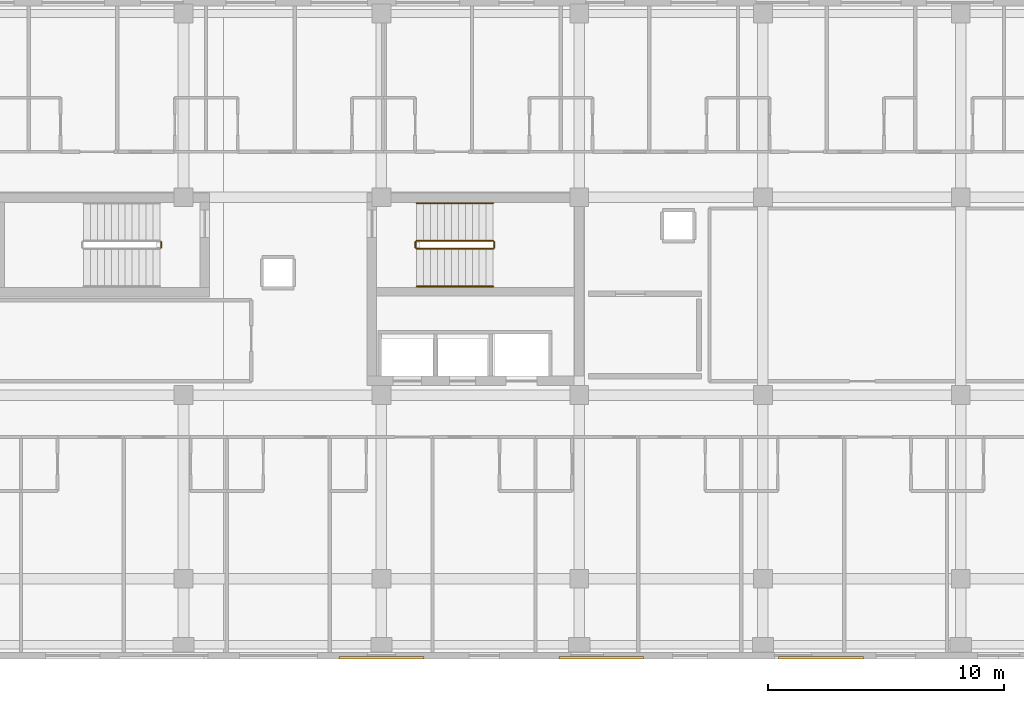
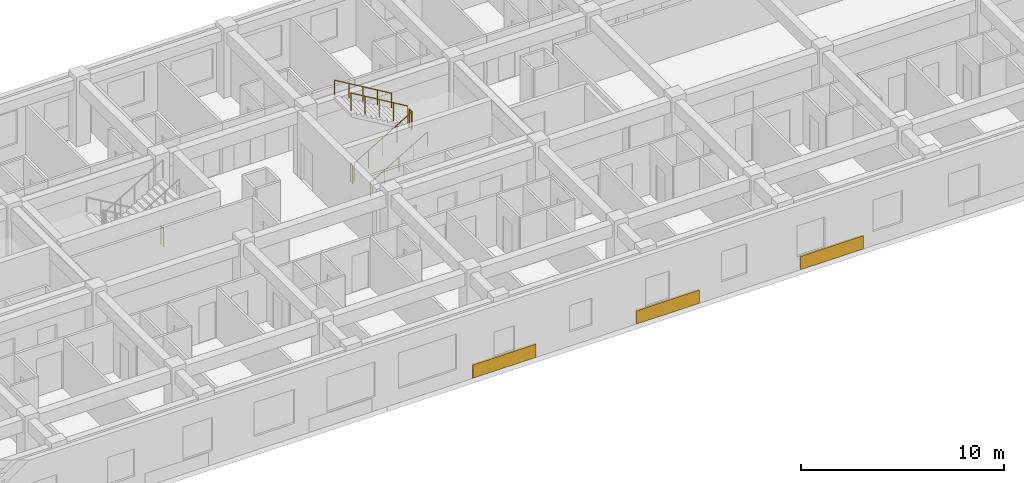
# One storey, part 117 of 127: 7 railings, 3 coverings.
"""IFC4 building model written with IfcOpenShell, lengths in metres."""

from ifc_helpers import new_model, si_unit, direction, frame, origin, origin_2d, place, context, subcontext, project, spatial, rectangle, circle, extrude, material, layer, layer_set, type_object, element, save


model = new_model("IFC4")

# Units and contexts
model_context = context("Model", 3, precision=1e-05, world=origin(), true_north=direction((0.0, 1.0)))
body_context = subcontext(model_context, "Body", "Model", "MODEL_VIEW")
ifc_project = project(units=[si_unit("LENGTHUNIT", "METRE"), si_unit("AREAUNIT", "SQUARE_METRE"), si_unit("VOLUMEUNIT", "CUBIC_METRE"), si_unit("PLANEANGLEUNIT", "RADIAN"), si_unit("MASSUNIT", "GRAM", prefix="KILO")], contexts=[model_context])

# Site, building, storey
site_placement = place(None, origin())
site = spatial("IfcSite", under=ifc_project, at=site_placement, CompositionType="ELEMENT")
building_placement = place(site_placement, origin())
building = spatial("IfcBuilding", under=site, at=building_placement, Name="Zayran Congress Hotel", CompositionType="ELEMENT")
storey_placement = place(building_placement, frame((0.0, 0.0, 10.800048828125)))
storey = spatial("IfcBuildingStorey", under=building, at=storey_placement, Name="L02", CompositionType="ELEMENT", Elevation=10.800048828125)

# Coverings
ifc_material_1 = material(Name="Ochre geometric bas-relief Hajar Ma'ani stone", Category="masonry")
ifc_layer = layer(ifc_material_1, 0.090087890625)
ifc_layer_set = layer_set([ifc_layer], Name="Ochre geometric bas-relief Hajar Ma'ani stone")
covering_type = type_object("IfcCoveringType", Name="TP-CLD-01", PredefinedType="CLADDING", material=ifc_layer_set)
for number, where, z_axis, x_axis, name in (
    (1, (50.39990234375, 6.044921875, 0.0), (0.0, 0.0, 1.0), (1.0, 0.0, 0.0), "CLD-V5S-L02-4"),
    (2, (59.73291015625, 6.044921875, 0.0), (0.0, 0.0, 1.0), (1.0, 0.0, 0.0), "CLD-V5S-L02-5"),
    (3, (69.06689453125, 6.044921875, 0.0), (0.0, 0.0, 1.0), (1.0, 0.0, 0.0), "CLD-V5S-L02-6"),
):
    element("IfcCovering", number, at=place(storey_placement, frame(where, z_axis=z_axis, x_axis=x_axis)), inside=storey, type_object=covering_type, Name=name, PredefinedType="CLADDING", context=body_context, shape_type="SweptSolid", body=[
        extrude(rectangle(XDim=3.60009765625, YDim=0.090087890625, at=origin_2d()), origin(), (0.0, 0.0, 1.0), 0.800048828125),
    ])

# Railings
ifc_material_2 = material(Name="Painted steel balustrade", Category="steel")
railing_type_1 = type_object("IfcRailingType", Name="TP-GRD-INT", PredefinedType="GUARDRAIL", material=ifc_material_2)
railing_1_placement = place(storey_placement, frame((51.89990234375, 23.409912109375, 0.175048828125)))
element("IfcRailing", 4, at=railing_1_placement, inside=storey, type_object=railing_type_1, Name="L02 ST-02 stair guard 1", PredefinedType="GUARDRAIL", context=body_context, shape_type="SweptSolid", body=[
    extrude(circle(Radius=0.02392578125, at=origin_2d()), frame((0.0, 0.0, 1.076171875), z_axis=(0.860085452069, 0.0, 0.510149992786), x_axis=(0.0, 1.0, 0.0)), (0.0, 0.0, 1.0), 3.77294921875),
    extrude(circle(Radius=0.02099609375, at=origin_2d()), origin(), (0.0, 0.0, 1.0), 1.052001953125),
    extrude(circle(Radius=0.02099609375, at=origin_2d()), frame((0.811279296875, 0.0, 0.481201171875)), (0.0, 0.0, 1.0), 1.052001953125),
    extrude(circle(Radius=0.02099609375, at=origin_2d()), frame((1.62255859375, 0.0, 0.96240234375)), (0.0, 0.0, 1.0), 1.052001953125),
    extrude(circle(Radius=0.02099609375, at=origin_2d()), frame((2.433837890625, 0.0, 1.443603515625)), (0.0, 0.0, 1.0), 1.052001953125),
    extrude(circle(Radius=0.02099609375, at=origin_2d()), frame((3.2451171875, 0.0, 1.9248046875)), (0.0, 0.0, 1.0), 1.052001953125),
])
railing_2_placement = place(storey_placement, frame((55.195068359375, 23.4599609375, 2.099853515625)))
element("IfcRailing", 5, at=railing_2_placement, inside=storey, type_object=railing_type_1, Name="L02 ST-02 stair guard 2", PredefinedType="GUARDRAIL", context=body_context, shape_type="SweptSolid", body=[
    extrude(circle(Radius=0.02392578125, at=origin_2d()), frame((0.0, 0.0, 1.076171875), z_axis=(0.0, 1.0, 0.0), x_axis=(-1.0, 0.0, 0.0)), (0.0, 0.0, 1.0), 0.239990234375),
    extrude(circle(Radius=0.02099609375, at=origin_2d()), origin(), (0.0, 0.0, 1.0), 1.052001953125),
    extrude(circle(Radius=0.02099609375, at=origin_2d()), frame((0.0, 0.239990234375, 0.0)), (0.0, 0.0, 1.0), 1.052001953125),
])
railing_3_placement = place(storey_placement, frame((55.14501953125, 23.75, 2.27490234375)))
element("IfcRailing", 6, at=railing_3_placement, inside=storey, type_object=railing_type_1, Name="L02 ST-02 stair guard 3", PredefinedType="GUARDRAIL", context=body_context, shape_type="SweptSolid", body=[
    extrude(circle(Radius=0.02392578125, at=origin_2d()), frame((0.0, 0.0, 1.076171875), z_axis=(-0.860057060016, 0.0, 0.510197857224), x_axis=(0.0, -1.0, 0.0)), (0.0, 0.0, 1.0), 3.773193359375),
    extrude(circle(Radius=0.02099609375, at=origin_2d()), origin(), (0.0, 0.0, 1.0), 1.052001953125),
    extrude(circle(Radius=0.02099609375, at=origin_2d()), frame((-0.811279296875, 0.0, 0.481201171875)), (0.0, 0.0, 1.0), 1.052001953125),
    extrude(circle(Radius=0.02099609375, at=origin_2d()), frame((-1.62255859375, 0.0, 0.96240234375)), (0.0, 0.0, 1.0), 1.052001953125),
    extrude(circle(Radius=0.02099609375, at=origin_2d()), frame((-2.433837890625, 0.0, 1.44384765625)), (0.0, 0.0, 1.0), 1.052001953125),
    extrude(circle(Radius=0.02099609375, at=origin_2d()), frame((-3.2451171875, 0.0, 1.925048828125)), (0.0, 0.0, 1.0), 1.052001953125),
])
railing_4_placement = place(storey_placement, frame((51.85009765625, 23.4599609375, 0.0)))
element("IfcRailing", 7, at=railing_4_placement, inside=storey, type_object=railing_type_1, Name="L02 ST-02 stair guard 4", PredefinedType="GUARDRAIL", context=body_context, shape_type="SweptSolid", body=[
    extrude(circle(Radius=0.02392578125, at=origin_2d()), frame((0.0, 0.0, 1.076171875), z_axis=(0.0, 1.0, 0.0), x_axis=(-1.0, 0.0, 0.0)), (0.0, 0.0, 1.0), 0.239990234375),
    extrude(circle(Radius=0.02099609375, at=origin_2d()), origin(), (0.0, 0.0, 1.0), 1.052001953125),
    extrude(circle(Radius=0.02099609375, at=origin_2d()), frame((0.0, 0.239990234375, 0.0)), (0.0, 0.0, 1.0), 1.052001953125),
])
railing_5_placement = place(storey_placement, frame((41.050048828125, 23.699951171875, 0.0)))
element("IfcRailing", 8, at=railing_5_placement, inside=storey, type_object=railing_type_1, Name="L02 ST-13 stair guard 4", PredefinedType="GUARDRAIL", context=body_context, shape_type="SweptSolid", body=[
    extrude(circle(Radius=0.02392578125, at=origin_2d()), frame((0.0, 0.0, 1.076171875), z_axis=(0.0, -1.0, 0.0), x_axis=(1.0, 0.0, 0.0)), (0.0, 0.0, 1.0), 0.239990234375),
    extrude(circle(Radius=0.02099609375, at=origin_2d()), origin(), (0.0, 0.0, 1.0), 1.052001953125),
    extrude(circle(Radius=0.02099609375, at=origin_2d()), frame((0.0, -0.239990234375, 0.0)), (0.0, 0.0, 1.0), 1.052001953125),
])
ifc_material_3 = material(Name="Brushed stainless steel handrail", Category="steel")
railing_type_2 = type_object("IfcRailingType", Name="TP-HND-STR", PredefinedType="HANDRAIL", material=ifc_material_3)
railing_6_placement = place(storey_placement, frame((51.89990234375, 21.81005859375, 0.175048828125)))
element("IfcRailing", 9, at=railing_6_placement, inside=storey, type_object=railing_type_2, Name="L02 ST-02 stair handrail 1", PredefinedType="HANDRAIL", context=body_context, shape_type="SweptSolid", body=[
    extrude(circle(Radius=0.02392578125, at=origin_2d()), frame((0.0, 0.0, 0.8759765625), z_axis=(0.860085452069, 0.0, 0.510149992786), x_axis=(0.0, 1.0, 0.0)), (0.0, 0.0, 1.0), 3.77294921875),
    extrude(circle(Radius=0.02099609375, at=origin_2d()), origin(), (0.0, 0.0, 1.0), 0.851806640625),
    extrude(circle(Radius=0.02099609375, at=origin_2d()), frame((0.811279296875, 0.0, 0.481201171875)), (0.0, 0.0, 1.0), 0.851806640625),
    extrude(circle(Radius=0.02099609375, at=origin_2d()), frame((1.62255859375, 0.0, 0.96240234375)), (0.0, 0.0, 1.0), 0.851806640625),
    extrude(circle(Radius=0.02099609375, at=origin_2d()), frame((2.433837890625, 0.0, 1.443603515625)), (0.0, 0.0, 1.0), 0.851806640625),
    extrude(circle(Radius=0.02099609375, at=origin_2d()), frame((3.2451171875, 0.0, 1.9248046875)), (0.0, 0.0, 1.0), 0.851806640625),
])
railing_7_placement = place(storey_placement, frame((55.14501953125, 25.35009765625, 2.27490234375)))
element("IfcRailing", 10, at=railing_7_placement, inside=storey, type_object=railing_type_2, Name="L02 ST-02 stair handrail 2", PredefinedType="HANDRAIL", context=body_context, shape_type="SweptSolid", body=[
    extrude(circle(Radius=0.02392578125, at=origin_2d()), frame((0.0, 0.0, 0.8759765625), z_axis=(-0.860057060016, 0.0, 0.510197857224), x_axis=(0.0, -1.0, 0.0)), (0.0, 0.0, 1.0), 3.773193359375),
    extrude(circle(Radius=0.02099609375, at=origin_2d()), origin(), (0.0, 0.0, 1.0), 0.851806640625),
    extrude(circle(Radius=0.02099609375, at=origin_2d()), frame((-0.811279296875, 0.0, 0.481201171875)), (0.0, 0.0, 1.0), 0.851806640625),
    extrude(circle(Radius=0.02099609375, at=origin_2d()), frame((-1.62255859375, 0.0, 0.96240234375)), (0.0, 0.0, 1.0), 0.851806640625),
    extrude(circle(Radius=0.02099609375, at=origin_2d()), frame((-2.433837890625, 0.0, 1.44384765625)), (0.0, 0.0, 1.0), 0.851806640625),
    extrude(circle(Radius=0.02099609375, at=origin_2d()), frame((-3.2451171875, 0.0, 1.925048828125)), (0.0, 0.0, 1.0), 0.851806640625),
])

save(model, "model.ifc")
